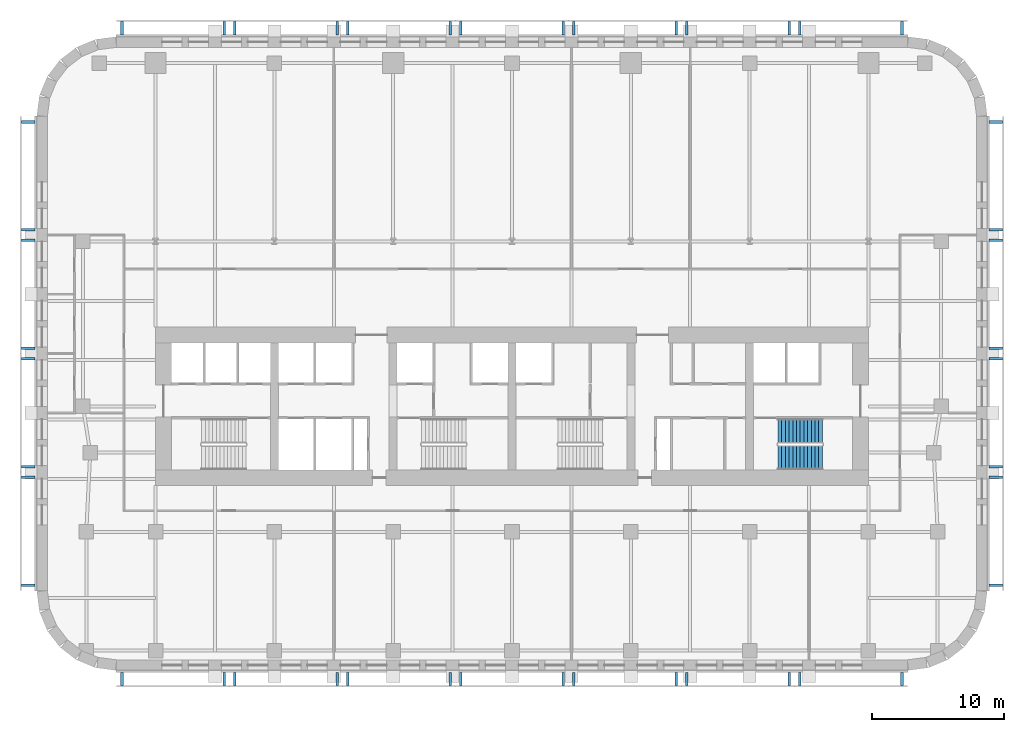
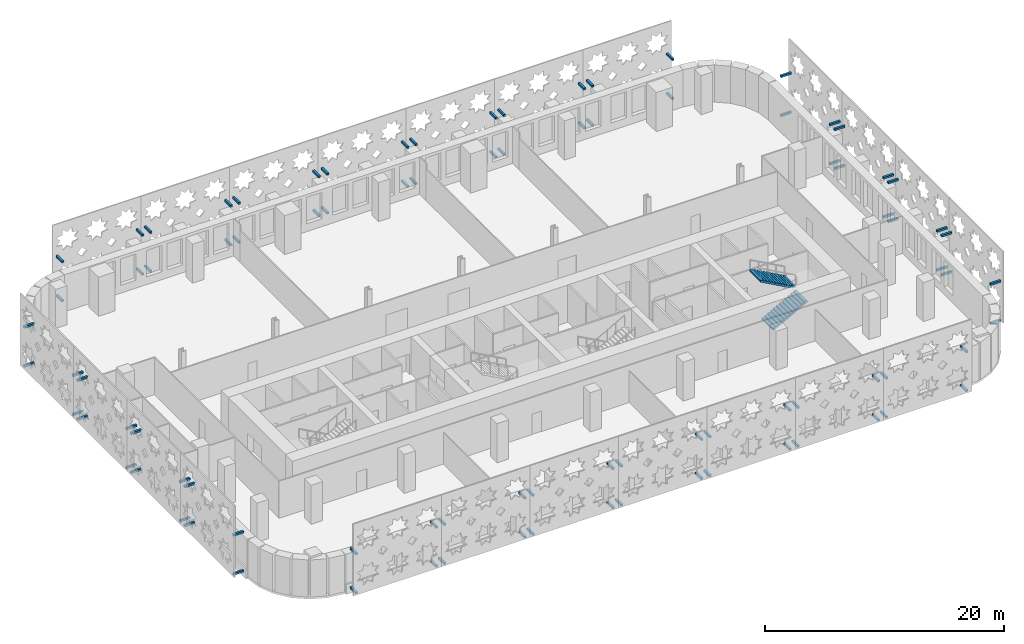
# One storey, part 9 of 14: 88 discrete accessories, 2 stair flights, 1 element without a shape of its own.
"""IFC4 building model written with IfcOpenShell, lengths in metres."""

from ifc_helpers import new_model, si_unit, direction, frame, origin, origin_2d, place, context, subcontext, project, spatial, polyline, rectangle, outline, extrude, material, type_object, element, aggregate, save


model = new_model("IFC4")

# Units and contexts
model_context = context("Model", 3, precision=1e-05, world=origin(), true_north=direction((0.0, 1.0)))
body_context = subcontext(model_context, "Body", "Model", "MODEL_VIEW")
ifc_project = project(units=[si_unit("LENGTHUNIT", "METRE"), si_unit("AREAUNIT", "SQUARE_METRE"), si_unit("VOLUMEUNIT", "CUBIC_METRE"), si_unit("PLANEANGLEUNIT", "RADIAN"), si_unit("MASSUNIT", "GRAM", prefix="KILO")], contexts=[model_context])

# Site, building, storey
site_placement = place(None, origin())
site = spatial("IfcSite", under=ifc_project, at=site_placement, CompositionType="ELEMENT")
building_placement = place(site_placement, origin())
building = spatial("IfcBuilding", under=site, at=building_placement, Name="Zellij Exchange Tower", CompositionType="ELEMENT")
storey_placement = place(building_placement, frame((0.0, 0.0, 68.5)))
storey = spatial("IfcBuildingStorey", under=building, at=storey_placement, Name="L13", CompositionType="ELEMENT", Elevation=68.5)

# Stair, stair flights
ifc_material_1 = material(Name="Concrete C40/50", Category="concrete")
stair_type = type_object("IfcStairType", Name="CORE-ST exit stair 1850 wide", PredefinedType="HALF_TURN_STAIR", material=ifc_material_1)
stair_placement = place(storey_placement, origin())
stair = element("IfcStair", 1, at=stair_placement, inside=storey, type_object=stair_type, Name="L13 exit stair ST4", PredefinedType="HALF_TURN_STAIR")
stair_flight_type = type_object("IfcStairFlightType", Name="CORE-SF flight 1850 riser 153.8 going 280", PredefinedType="STRAIGHT", material=ifc_material_1)
stair_flight_1_placement = place(storey_placement, frame((20.14990234375, -11.875, 0.0), z_axis=(0.0, 0.0, 1.0), x_axis=(1.0, 0.0, 0.0)))
stair_flight_1 = element("IfcStairFlight", 2, at=stair_flight_1_placement, type_object=stair_flight_type, Name="ST4 flight 1", NumberOfRisers=13, NumberOfTreads=12, PredefinedType="STRAIGHT", RiserHeight=0.153846154, TreadLength=0.28, context=body_context, shape_type="SweptSolid", body=[
    extrude(outline(polyline([(0.0, 0.0), (0.0, 0.15380859375), (0.280029296875, 0.15380859375), (0.280029296875, 0.3076171875), (0.56005859375, 0.3076171875), (0.56005859375, 0.46142578125), (0.840087890625, 0.46142578125), (0.840087890625, 0.615478515625), (1.1201171875, 0.615478515625), (1.1201171875, 0.769287109375), (1.39990234375, 0.769287109375), (1.39990234375, 0.923095703125), (1.679931640625, 0.923095703125), (1.679931640625, 1.076904296875), (1.9599609375, 1.076904296875), (1.9599609375, 1.230712890625), (2.239990234375, 1.230712890625), (2.239990234375, 1.384521484375), (2.52001953125, 1.384521484375), (2.52001953125, 1.53857421875), (2.800048828125, 1.53857421875), (2.800048828125, 1.6923828125), (3.080078125, 1.6923828125), (3.080078125, 1.84619140625), (3.360107421875, 1.84619140625), (3.360107421875, 2.0), (3.360107421875, 1.675048828125), (0.311279296875, 0.0), (0.0, 0.0)])), frame((0.0, 0.925048828125, 0.0), z_axis=(0.0, -1.0, 0.0), x_axis=(1.0, 0.0, 0.0)), (0.0, 0.0, 1.0), 1.85009765625),
])
stair_flight_2_placement = place(storey_placement, frame((23.510009765625, -9.875, 2.0), z_axis=(0.0, 0.0, 1.0), x_axis=(-1.0, 0.0, 0.0)))
stair_flight_2 = element("IfcStairFlight", 3, at=stair_flight_2_placement, type_object=stair_flight_type, Name="ST4 flight 2", NumberOfRisers=13, NumberOfTreads=12, PredefinedType="STRAIGHT", RiserHeight=0.153846154, TreadLength=0.28, context=body_context, shape_type="SweptSolid", body=[
    extrude(outline(polyline([(0.0, 0.0), (0.0, 0.15380859375), (0.280029296875, 0.15380859375), (0.280029296875, 0.3076171875), (0.56005859375, 0.3076171875), (0.56005859375, 0.46142578125), (0.840087890625, 0.46142578125), (0.840087890625, 0.615478515625), (1.1201171875, 0.615478515625), (1.1201171875, 0.769287109375), (1.39990234375, 0.769287109375), (1.39990234375, 0.923095703125), (1.679931640625, 0.923095703125), (1.679931640625, 1.076904296875), (1.9599609375, 1.076904296875), (1.9599609375, 1.230712890625), (2.239990234375, 1.230712890625), (2.239990234375, 1.384521484375), (2.52001953125, 1.384521484375), (2.52001953125, 1.53857421875), (2.800048828125, 1.53857421875), (2.800048828125, 1.6923828125), (3.080078125, 1.6923828125), (3.080078125, 1.84619140625), (3.360107421875, 1.84619140625), (3.360107421875, 2.0), (3.360107421875, 1.675048828125), (0.311279296875, 0.0), (0.0, 0.0)])), frame((0.0, 0.925048828125, 0.0), z_axis=(0.0, -1.0, 0.0), x_axis=(1.0, 0.0, 0.0)), (0.0, 0.0, 1.0), 1.85009765625),
])
aggregate(stair, [stair_flight_1, stair_flight_2])

# Discrete accessories
ifc_material_2 = material(Name="Stainless steel", Category="steel")
discrete_accessory_type = type_object("IfcDiscreteAccessoryType", Name="ENV-BR1 Stone panel bracket 200", PredefinedType="USERDEFINED", material=ifc_material_2)
for number, where, z_axis, x_axis, name in (
    (4, (-36.64990234375, 13.547607421875, 0.2998046875), (0.0, 0.0, 1.0), (0.0, -1.0, 0.0), "Panel bracket"),
    (5, (-36.64990234375, 5.373779296875, 0.2998046875), (0.0, 0.0, 1.0), (0.0, -1.0, 0.0), "Panel bracket"),
    (6, (-36.64990234375, 13.547607421875, 4.2998046875), (0.0, 0.0, 1.0), (0.0, -1.0, 0.0), "Panel bracket"),
    (7, (-36.64990234375, 5.373779296875, 4.2998046875), (0.0, 0.0, 1.0), (0.0, -1.0, 0.0), "Panel bracket"),
    (8, (-36.64990234375, 4.57373046875, 0.2998046875), (0.0, 0.0, 1.0), (0.0, -1.0, 0.0), "Panel bracket"),
    (9, (-36.64990234375, -3.60009765625, 0.2998046875), (0.0, 0.0, 1.0), (0.0, -1.0, 0.0), "Panel bracket"),
    (10, (-36.64990234375, 4.57373046875, 4.2998046875), (0.0, 0.0, 1.0), (0.0, -1.0, 0.0), "Panel bracket"),
    (11, (-36.64990234375, -3.60009765625, 4.2998046875), (0.0, 0.0, 1.0), (0.0, -1.0, 0.0), "Panel bracket"),
    (12, (-36.64990234375, -4.39990234375, 0.2998046875), (0.0, 0.0, 1.0), (0.0, -1.0, 0.0), "Panel bracket"),
    (13, (-36.64990234375, -12.57373046875, 0.2998046875), (0.0, 0.0, 1.0), (0.0, -1.0, 0.0), "Panel bracket"),
    (14, (-36.64990234375, -4.39990234375, 4.2998046875), (0.0, 0.0, 1.0), (0.0, -1.0, 0.0), "Panel bracket"),
    (15, (-36.64990234375, -12.57373046875, 4.2998046875), (0.0, 0.0, 1.0), (0.0, -1.0, 0.0), "Panel bracket"),
    (16, (-36.64990234375, -13.373779296875, 0.2998046875), (0.0, 0.0, 1.0), (0.0, -1.0, 0.0), "Panel bracket"),
    (17, (-36.64990234375, -21.547607421875, 0.2998046875), (0.0, 0.0, 1.0), (0.0, -1.0, 0.0), "Panel bracket"),
    (18, (-36.64990234375, -13.373779296875, 4.2998046875), (0.0, 0.0, 1.0), (0.0, -1.0, 0.0), "Panel bracket"),
    (19, (-36.64990234375, -21.547607421875, 4.2998046875), (0.0, 0.0, 1.0), (0.0, -1.0, 0.0), "Panel bracket"),
    (20, (-29.547607421875, -28.64990234375, 0.2998046875), (0.0, 0.0, 1.0), (1.0, 0.0, 0.0), "Panel bracket"),
    (21, (-21.791015625, -28.64990234375, 0.2998046875), (0.0, 0.0, 1.0), (1.0, 0.0, 0.0), "Panel bracket"),
    (22, (-29.547607421875, -28.64990234375, 4.2998046875), (0.0, 0.0, 1.0), (1.0, 0.0, 0.0), "Panel bracket"),
    (23, (-21.791015625, -28.64990234375, 4.2998046875), (0.0, 0.0, 1.0), (1.0, 0.0, 0.0), "Panel bracket"),
    (24, (-20.9912109375, -28.64990234375, 0.2998046875), (0.0, 0.0, 1.0), (1.0, 0.0, 0.0), "Panel bracket"),
    (25, (-13.234619140625, -28.64990234375, 0.2998046875), (0.0, 0.0, 1.0), (1.0, 0.0, 0.0), "Panel bracket"),
    (26, (-20.9912109375, -28.64990234375, 4.2998046875), (0.0, 0.0, 1.0), (1.0, 0.0, 0.0), "Panel bracket"),
    (27, (-13.234619140625, -28.64990234375, 4.2998046875), (0.0, 0.0, 1.0), (1.0, 0.0, 0.0), "Panel bracket"),
    (28, (-12.434814453125, -28.64990234375, 0.2998046875), (0.0, 0.0, 1.0), (1.0, 0.0, 0.0), "Panel bracket"),
    (29, (-4.67822265625, -28.64990234375, 0.2998046875), (0.0, 0.0, 1.0), (1.0, 0.0, 0.0), "Panel bracket"),
    (30, (-12.434814453125, -28.64990234375, 4.2998046875), (0.0, 0.0, 1.0), (1.0, 0.0, 0.0), "Panel bracket"),
    (31, (-4.67822265625, -28.64990234375, 4.2998046875), (0.0, 0.0, 1.0), (1.0, 0.0, 0.0), "Panel bracket"),
    (32, (-3.878173828125, -28.64990234375, 0.2998046875), (0.0, 0.0, 1.0), (1.0, 0.0, 0.0), "Panel bracket"),
    (33, (3.878173828125, -28.64990234375, 0.2998046875), (0.0, 0.0, 1.0), (1.0, 0.0, 0.0), "Panel bracket"),
    (34, (-3.878173828125, -28.64990234375, 4.2998046875), (0.0, 0.0, 1.0), (1.0, 0.0, 0.0), "Panel bracket"),
    (35, (3.878173828125, -28.64990234375, 4.2998046875), (0.0, 0.0, 1.0), (1.0, 0.0, 0.0), "Panel bracket"),
    (36, (4.67822265625, -28.64990234375, 0.2998046875), (0.0, 0.0, 1.0), (1.0, 0.0, 0.0), "Panel bracket"),
    (37, (12.434814453125, -28.64990234375, 0.2998046875), (0.0, 0.0, 1.0), (1.0, 0.0, 0.0), "Panel bracket"),
    (38, (4.67822265625, -28.64990234375, 4.2998046875), (0.0, 0.0, 1.0), (1.0, 0.0, 0.0), "Panel bracket"),
    (39, (12.434814453125, -28.64990234375, 4.2998046875), (0.0, 0.0, 1.0), (1.0, 0.0, 0.0), "Panel bracket"),
    (40, (13.234619140625, -28.64990234375, 0.2998046875), (0.0, 0.0, 1.0), (1.0, 0.0, 0.0), "Panel bracket"),
    (41, (20.9912109375, -28.64990234375, 0.2998046875), (0.0, 0.0, 1.0), (1.0, 0.0, 0.0), "Panel bracket"),
    (42, (13.234619140625, -28.64990234375, 4.2998046875), (0.0, 0.0, 1.0), (1.0, 0.0, 0.0), "Panel bracket"),
    (43, (20.9912109375, -28.64990234375, 4.2998046875), (0.0, 0.0, 1.0), (1.0, 0.0, 0.0), "Panel bracket"),
    (44, (21.791015625, -28.64990234375, 0.2998046875), (0.0, 0.0, 1.0), (1.0, 0.0, 0.0), "Panel bracket"),
    (45, (29.547607421875, -28.64990234375, 0.2998046875), (0.0, 0.0, 1.0), (1.0, 0.0, 0.0), "Panel bracket"),
    (46, (21.791015625, -28.64990234375, 4.2998046875), (0.0, 0.0, 1.0), (1.0, 0.0, 0.0), "Panel bracket"),
    (47, (29.547607421875, -28.64990234375, 4.2998046875), (0.0, 0.0, 1.0), (1.0, 0.0, 0.0), "Panel bracket"),
    (48, (29.547607421875, 20.64990234375, 0.2998046875), (0.0, 0.0, 1.0), (-1.0, 0.0, 0.0), "Panel bracket"),
    (49, (21.791015625, 20.64990234375, 0.2998046875), (0.0, 0.0, 1.0), (-1.0, 0.0, 0.0), "Panel bracket"),
    (50, (29.547607421875, 20.64990234375, 4.2998046875), (0.0, 0.0, 1.0), (-1.0, 0.0, 0.0), "Panel bracket"),
    (51, (21.791015625, 20.64990234375, 4.2998046875), (0.0, 0.0, 1.0), (-1.0, 0.0, 0.0), "Panel bracket"),
    (52, (20.9912109375, 20.64990234375, 0.2998046875), (0.0, 0.0, 1.0), (-1.0, 0.0, 0.0), "Panel bracket"),
    (53, (13.234619140625, 20.64990234375, 0.2998046875), (0.0, 0.0, 1.0), (-1.0, 0.0, 0.0), "Panel bracket"),
    (54, (20.9912109375, 20.64990234375, 4.2998046875), (0.0, 0.0, 1.0), (-1.0, 0.0, 0.0), "Panel bracket"),
    (55, (13.234619140625, 20.64990234375, 4.2998046875), (0.0, 0.0, 1.0), (-1.0, 0.0, 0.0), "Panel bracket"),
    (56, (12.434814453125, 20.64990234375, 0.2998046875), (0.0, 0.0, 1.0), (-1.0, 0.0, 0.0), "Panel bracket"),
    (57, (4.67822265625, 20.64990234375, 0.2998046875), (0.0, 0.0, 1.0), (-1.0, 0.0, 0.0), "Panel bracket"),
    (58, (12.434814453125, 20.64990234375, 4.2998046875), (0.0, 0.0, 1.0), (-1.0, 0.0, 0.0), "Panel bracket"),
    (59, (4.67822265625, 20.64990234375, 4.2998046875), (0.0, 0.0, 1.0), (-1.0, 0.0, 0.0), "Panel bracket"),
    (60, (3.878173828125, 20.64990234375, 0.2998046875), (0.0, 0.0, 1.0), (-1.0, 0.0, 0.0), "Panel bracket"),
    (61, (-3.878173828125, 20.64990234375, 0.2998046875), (0.0, 0.0, 1.0), (-1.0, 0.0, 0.0), "Panel bracket"),
    (62, (3.878173828125, 20.64990234375, 4.2998046875), (0.0, 0.0, 1.0), (-1.0, 0.0, 0.0), "Panel bracket"),
    (63, (-3.878173828125, 20.64990234375, 4.2998046875), (0.0, 0.0, 1.0), (-1.0, 0.0, 0.0), "Panel bracket"),
    (64, (-4.67822265625, 20.64990234375, 0.2998046875), (0.0, 0.0, 1.0), (-1.0, 0.0, 0.0), "Panel bracket"),
    (65, (-12.434814453125, 20.64990234375, 0.2998046875), (0.0, 0.0, 1.0), (-1.0, 0.0, 0.0), "Panel bracket"),
    (66, (-4.67822265625, 20.64990234375, 4.2998046875), (0.0, 0.0, 1.0), (-1.0, 0.0, 0.0), "Panel bracket"),
    (67, (-12.434814453125, 20.64990234375, 4.2998046875), (0.0, 0.0, 1.0), (-1.0, 0.0, 0.0), "Panel bracket"),
    (68, (-13.234619140625, 20.64990234375, 0.2998046875), (0.0, 0.0, 1.0), (-1.0, 0.0, 0.0), "Panel bracket"),
    (69, (-20.9912109375, 20.64990234375, 0.2998046875), (0.0, 0.0, 1.0), (-1.0, 0.0, 0.0), "Panel bracket"),
    (70, (-13.234619140625, 20.64990234375, 4.2998046875), (0.0, 0.0, 1.0), (-1.0, 0.0, 0.0), "Panel bracket"),
    (71, (-20.9912109375, 20.64990234375, 4.2998046875), (0.0, 0.0, 1.0), (-1.0, 0.0, 0.0), "Panel bracket"),
    (72, (-21.791015625, 20.64990234375, 0.2998046875), (0.0, 0.0, 1.0), (-1.0, 0.0, 0.0), "Panel bracket"),
    (73, (-29.547607421875, 20.64990234375, 0.2998046875), (0.0, 0.0, 1.0), (-1.0, 0.0, 0.0), "Panel bracket"),
    (74, (-21.791015625, 20.64990234375, 4.2998046875), (0.0, 0.0, 1.0), (-1.0, 0.0, 0.0), "Panel bracket"),
    (75, (-29.547607421875, 20.64990234375, 4.2998046875), (0.0, 0.0, 1.0), (-1.0, 0.0, 0.0), "Panel bracket"),
    (76, (36.64990234375, -21.547607421875, 0.2998046875), (0.0, 0.0, 1.0), (0.0, 1.0, 0.0), "Panel bracket"),
    (77, (36.64990234375, -13.373779296875, 0.2998046875), (0.0, 0.0, 1.0), (0.0, 1.0, 0.0), "Panel bracket"),
    (78, (36.64990234375, -21.547607421875, 4.2998046875), (0.0, 0.0, 1.0), (0.0, 1.0, 0.0), "Panel bracket"),
    (79, (36.64990234375, -13.373779296875, 4.2998046875), (0.0, 0.0, 1.0), (0.0, 1.0, 0.0), "Panel bracket"),
    (80, (36.64990234375, -12.57373046875, 0.2998046875), (0.0, 0.0, 1.0), (0.0, 1.0, 0.0), "Panel bracket"),
    (81, (36.64990234375, -4.39990234375, 0.2998046875), (0.0, 0.0, 1.0), (0.0, 1.0, 0.0), "Panel bracket"),
    (82, (36.64990234375, -12.57373046875, 4.2998046875), (0.0, 0.0, 1.0), (0.0, 1.0, 0.0), "Panel bracket"),
    (83, (36.64990234375, -4.39990234375, 4.2998046875), (0.0, 0.0, 1.0), (0.0, 1.0, 0.0), "Panel bracket"),
    (84, (36.64990234375, -3.60009765625, 0.2998046875), (0.0, 0.0, 1.0), (0.0, 1.0, 0.0), "Panel bracket"),
    (85, (36.64990234375, 4.57373046875, 0.2998046875), (0.0, 0.0, 1.0), (0.0, 1.0, 0.0), "Panel bracket"),
    (86, (36.64990234375, -3.60009765625, 4.2998046875), (0.0, 0.0, 1.0), (0.0, 1.0, 0.0), "Panel bracket"),
    (87, (36.64990234375, 4.57373046875, 4.2998046875), (0.0, 0.0, 1.0), (0.0, 1.0, 0.0), "Panel bracket"),
    (88, (36.64990234375, 5.373779296875, 0.2998046875), (0.0, 0.0, 1.0), (0.0, 1.0, 0.0), "Panel bracket"),
    (89, (36.64990234375, 13.547607421875, 0.2998046875), (0.0, 0.0, 1.0), (0.0, 1.0, 0.0), "Panel bracket"),
    (90, (36.64990234375, 5.373779296875, 4.2998046875), (0.0, 0.0, 1.0), (0.0, 1.0, 0.0), "Panel bracket"),
    (91, (36.64990234375, 13.547607421875, 4.2998046875), (0.0, 0.0, 1.0), (0.0, 1.0, 0.0), "Panel bracket"),
):
    element("IfcDiscreteAccessory", number, at=place(storey_placement, frame(where, z_axis=z_axis, x_axis=x_axis)), inside=storey, type_object=discrete_accessory_type, Name=name, ObjectType="BRACKET", PredefinedType="USERDEFINED", context=body_context, shape_type="SweptSolid", body=[
        extrude(rectangle(XDim=0.199951171875, YDim=1.0, at=origin_2d()), origin(), (0.0, 0.0, 1.0), 0.199951171875),
    ])

save(model, "model.ifc")
